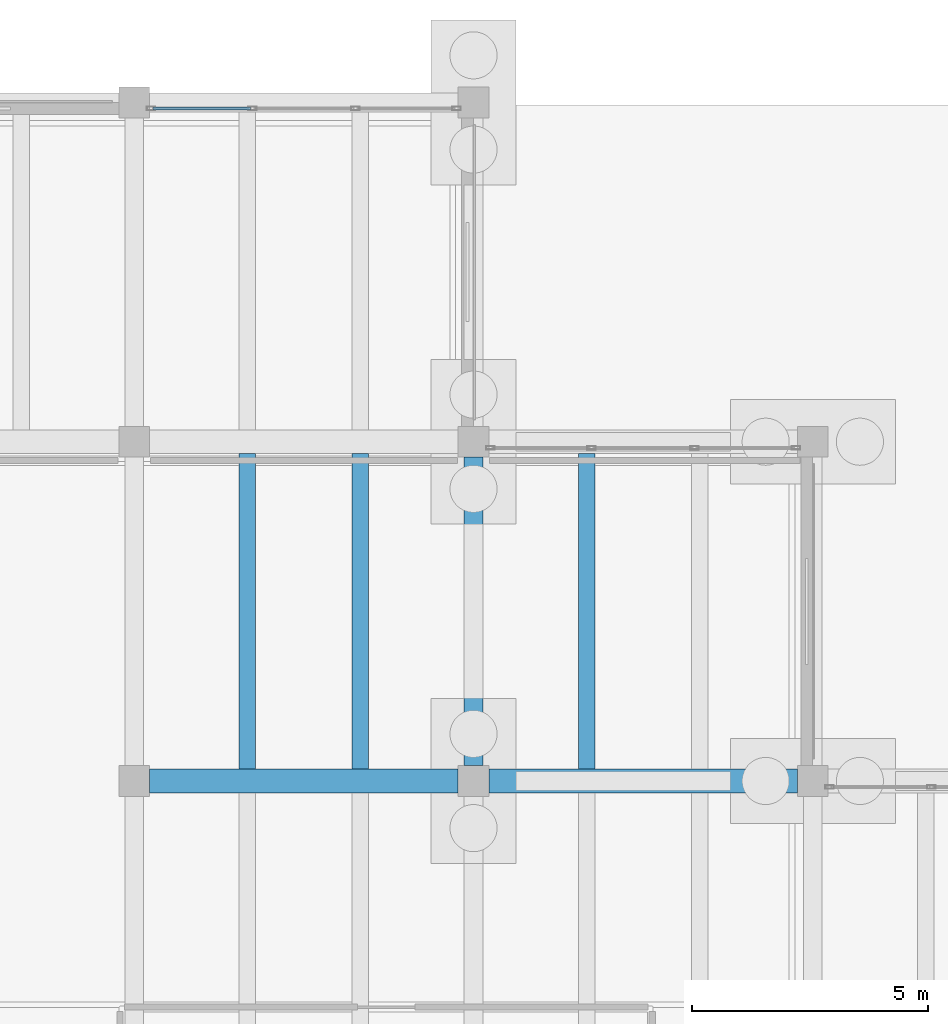
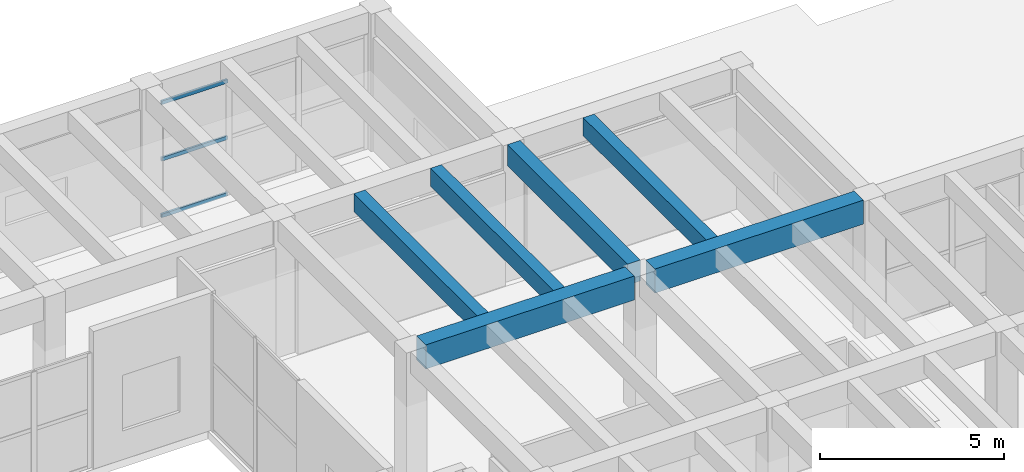
# One storey, part 80 of 155: 6 beams, 3 members, 1 element without a shape of its own.
"""IFC4 building model written with IfcOpenShell, lengths in metres."""

from ifc_helpers import new_model, si_unit, direction, frame, origin, origin_2d, place, context, subcontext, project, spatial, rectangle, hollow_rectangle, extrude, material, material_profile, profile_set, type_object, element, aggregate, save


model = new_model("IFC4")

# Units and contexts
model_context = context("Model", 3, precision=1e-05, world=origin(), true_north=direction((0.0, 1.0)))
body_context = subcontext(model_context, "Body", "Model", "MODEL_VIEW")
ifc_project = project(units=[si_unit("LENGTHUNIT", "METRE"), si_unit("AREAUNIT", "SQUARE_METRE"), si_unit("VOLUMEUNIT", "CUBIC_METRE"), si_unit("PLANEANGLEUNIT", "RADIAN"), si_unit("MASSUNIT", "GRAM", prefix="KILO")], contexts=[model_context])

# Site, building, storey
site_placement = place(None, origin())
site = spatial("IfcSite", under=ifc_project, at=site_placement, CompositionType="ELEMENT")
building_placement = place(site_placement, origin())
building = spatial("IfcBuilding", under=site, at=building_placement, Name="Bramvelor Terrace Health Centre", CompositionType="ELEMENT")
storey_placement = place(building_placement, origin())
storey = spatial("IfcBuildingStorey", under=building, at=storey_placement, Name="L01", CompositionType="ELEMENT", Elevation=0.0)

# Beams
ifc_material_1 = material(Name="Concrete C40/50", Category="concrete")
ifc_material_profile_1 = material_profile(ifc_material_1, rectangle(XDim=0.39990234375, YDim=0.699951171875, at=origin_2d()), Name="RC 400x700")
ifc_profile_set_1 = profile_set([ifc_material_profile_1], Name="Concrete C40/50")
beam_type_1 = type_object("IfcBeamType", Name="BM-RC-G700", PredefinedType="BEAM", material=ifc_profile_set_1)
beam_placement = place(storey_placement, frame((36.0, 101.125, 4.2099609375), z_axis=(0.0, 1.0, 0.0), x_axis=(-1.0, 0.0, 0.0)))
element("IfcBeam", 1, at=beam_placement, inside=storey, type_object=beam_type_1, Name="L01 Floor Girder", PredefinedType="BEAM", context=body_context, shape_type="SweptSolid", body=[
    extrude(rectangle(XDim=0.39990234375, YDim=0.699951171875, at=origin_2d()), origin(), (0.0, 0.0, 1.0), 6.550048828125),
])
ifc_material_2 = material(Name="Concrete C40/50", Category="concrete")
ifc_material_profile_2 = material_profile(ifc_material_2, rectangle(XDim=0.5, YDim=0.800048828125, at=origin_2d()), Name="RC 500x800")
ifc_profile_set_2 = profile_set([ifc_material_profile_2], Name="Concrete C40/50")
beam_type_2 = type_object("IfcBeamType", Name="BM-RC-G800", PredefinedType="BEAM", material=ifc_profile_set_2)
for number, where, z_axis, x_axis, name in (
    (2, (29.125, 100.800048828125, 4.159912109375), (1.0, 0.0, 0.0), (0.0, 1.0, 0.0), "L01 Floor Girder"),
    (3, (36.324951171875, 100.800048828125, 4.159912109375), (1.0, 0.0, 0.0), (0.0, 1.0, 0.0), "L01 Floor Girder"),
):
    element("IfcBeam", number, at=place(storey_placement, frame(where, z_axis=z_axis, x_axis=x_axis)), inside=storey, type_object=beam_type_2, Name=name, PredefinedType="BEAM", context=body_context, shape_type="SweptSolid", body=[
        extrude(rectangle(XDim=0.5, YDim=0.800048828125, at=origin_2d()), origin(), (0.0, 0.0, 1.0), 6.550048828125),
    ])
ifc_material_3 = material(Name="Concrete C40/50", Category="concrete")
ifc_material_profile_3 = material_profile(ifc_material_3, rectangle(XDim=0.35009765625, YDim=0.60009765625, at=origin_2d()), Name="RC 350x600")
ifc_profile_set_3 = profile_set([ifc_material_profile_3], Name="Concrete C40/50")
beam_type_3 = type_object("IfcBeamType", Name="BM-RC-J600", PredefinedType="JOIST", material=ifc_profile_set_3)
for number, where, z_axis, x_axis, name in (
    (4, (31.199951171875, 101.050048828125, 4.260009765625), (0.0, 1.0, 0.0), (-1.0, 0.0, 0.0), "L01 Secondary Floor Joist"),
    (5, (33.60009765625, 101.050048828125, 4.260009765625), (0.0, 1.0, 0.0), (-1.0, 0.0, 0.0), "L01 Secondary Floor Joist"),
    (6, (38.39990234375, 101.050048828125, 4.260009765625), (0.0, 1.0, 0.0), (-1.0, 0.0, 0.0), "L01 Secondary Floor Joist"),
):
    element("IfcBeam", number, at=place(storey_placement, frame(where, z_axis=z_axis, x_axis=x_axis)), inside=storey, type_object=beam_type_3, Name=name, PredefinedType="JOIST", context=body_context, shape_type="SweptSolid", body=[
        extrude(rectangle(XDim=0.35009765625, YDim=0.60009765625, at=origin_2d()), origin(), (0.0, 0.0, 1.0), 6.699951171875),
    ])

# Curtain wall, members
ifc_material_4 = material(Name="Anodized aluminium and double low-E glass", Category="aluminium")
curtain_wall_type = type_object("IfcCurtainWallType", Name="CW-SYS-05", PredefinedType="NOTDEFINED", material=ifc_material_4)
curtain_wall_placement = place(storey_placement, origin())
curtain_wall = element("IfcCurtainWall", 7, at=curtain_wall_placement, inside=storey, type_object=curtain_wall_type, Name="L01 Unitized Curtain Wall 20", PredefinedType="NOTDEFINED")
ifc_material_5 = material(Name="Anodized aluminium 6063-T6", Category="aluminium")
ifc_material_profile_4 = material_profile(ifc_material_5, hollow_rectangle(XDim=0.06494140625, YDim=0.1201171875, WallThickness=0.0029296875, at=origin_2d()), Name="ALU-TRN 65x120x3.0")
ifc_profile_set_4 = profile_set([ifc_material_profile_4], Name="Anodized aluminium 6063-T6")
member_type = type_object("IfcMemberType", Name="CW-TRN-65x150", PredefinedType="USERDEFINED", material=ifc_profile_set_4)
member_1_placement = place(storey_placement, frame((29.195068359375, 115.070068359375, 0.032470703125), z_axis=(1.0, 0.0, 0.0), x_axis=(0.0, 1.0, 0.0)))
member_1 = element("IfcMember", 8, at=member_1_placement, type_object=member_type, Name="CW-05 transom 1.1", ObjectType="TRANSOM", PredefinedType="USERDEFINED", context=body_context, shape_type="SweptSolid", body=[
    extrude(hollow_rectangle(XDim=0.06494140625, YDim=0.1201171875, WallThickness=0.0029296875, at=origin_2d()), origin(), (0.0, 0.0, 1.0), 2.07421875),
])
member_2_placement = place(storey_placement, frame((29.195068359375, 115.070068359375, 1.909912109375), z_axis=(1.0, 0.0, 0.0), x_axis=(0.0, 1.0, 0.0)))
member_2 = element("IfcMember", 9, at=member_2_placement, type_object=member_type, Name="CW-05 transom 1.2", ObjectType="TRANSOM", PredefinedType="USERDEFINED", context=body_context, shape_type="SweptSolid", body=[
    extrude(hollow_rectangle(XDim=0.06494140625, YDim=0.1201171875, WallThickness=0.0029296875, at=origin_2d()), origin(), (0.0, 0.0, 1.0), 2.07421875),
])
member_3_placement = place(storey_placement, frame((29.195068359375, 115.070068359375, 3.78759765625), z_axis=(1.0, 0.0, 0.0), x_axis=(0.0, 1.0, 0.0)))
member_3 = element("IfcMember", 10, at=member_3_placement, type_object=member_type, Name="CW-05 transom 1.3", ObjectType="TRANSOM", PredefinedType="USERDEFINED", context=body_context, shape_type="SweptSolid", body=[
    extrude(hollow_rectangle(XDim=0.06494140625, YDim=0.1201171875, WallThickness=0.0029296875, at=origin_2d()), origin(), (0.0, 0.0, 1.0), 2.07421875),
])
aggregate(curtain_wall, [member_1, member_2, member_3])

save(model, "model.ifc")
